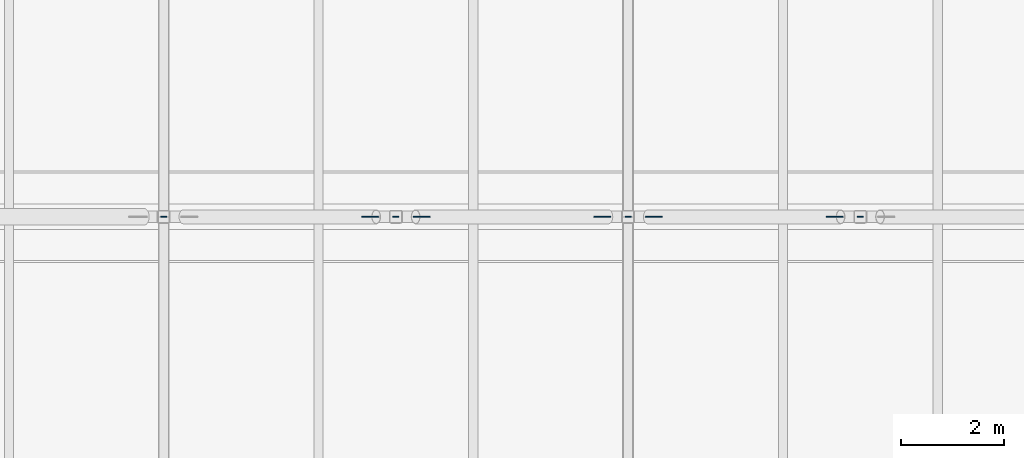
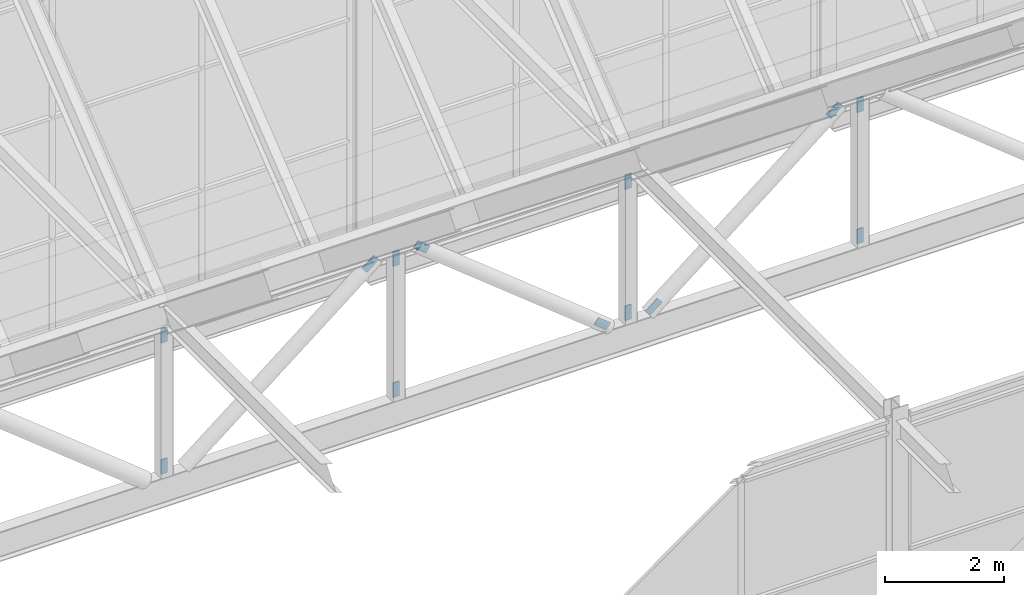
# One storey, part 135 of 144: 13 discrete accessories.
"""IFC4 building model written with IfcOpenShell, lengths in metres."""

from ifc_helpers import new_model, si_unit, direction, frame, origin, place, context, subcontext, project, spatial, polyline, outline, extrude, material, layer, layer_set, type_object, element, save


model = new_model("IFC4")

# Units and contexts
model_context = context("Model", 3, precision=1e-05, world=origin(), true_north=direction((0.0, 1.0)))
body_context = subcontext(model_context, "Body", "Model", "MODEL_VIEW")
ifc_project = project(units=[si_unit("LENGTHUNIT", "METRE"), si_unit("AREAUNIT", "SQUARE_METRE"), si_unit("VOLUMEUNIT", "CUBIC_METRE"), si_unit("PLANEANGLEUNIT", "RADIAN"), si_unit("MASSUNIT", "GRAM", prefix="KILO")], contexts=[model_context])

# Site, building, storey
site_placement = place(None, origin())
site = spatial("IfcSite", under=ifc_project, at=site_placement, CompositionType="ELEMENT")
building_placement = place(site_placement, origin())
building = spatial("IfcBuilding", under=site, at=building_placement, Name="Shorebreak Coast Museum", CompositionType="ELEMENT")
storey_placement = place(building_placement, frame((0.0, 0.0, 36.0)))
storey = spatial("IfcBuildingStorey", under=building, at=storey_placement, Name="L06", CompositionType="ELEMENT", Elevation=36.0)

# Discrete accessories
ifc_material_1 = material(Name="Steel Grade 300", Category="steel")
ifc_layer_1 = layer(ifc_material_1, 0.02001953125)
ifc_layer_set_1 = layer_set([ifc_layer_1], Name="Steel Grade 300")
discrete_accessory_type_1 = type_object("IfcDiscreteAccessoryType", Name="Gusset plate 120 x 300 x 20", PredefinedType="BRACKET", material=ifc_layer_set_1)
for number, where, z_axis, x_axis, name in (
    (1, (71.93994140625, 71.989990234375, 4.235595703125), (0.0, -1.0, 0.0), (1.0, 0.0, 0.0), "Gusset plate Atrium roof truss TA3 strut V02 end 1"),
    (2, (71.93994140625, 71.989990234375, 6.923583984375), (0.0, -1.0, 0.0), (1.0, 0.0, 0.0), "Gusset plate Atrium roof truss TA3 strut V02 end 2"),
    (3, (76.43994140625, 71.989990234375, 4.235595703125), (0.0, -1.0, 0.0), (1.0, 0.0, 0.0), "Gusset plate Atrium roof truss TA3 strut V03 end 1"),
    (4, (76.43994140625, 71.989990234375, 6.923583984375), (0.0, -1.0, 0.0), (1.0, 0.0, 0.0), "Gusset plate Atrium roof truss TA3 strut V03 end 2"),
    (5, (80.93994140625, 71.989990234375, 4.235595703125), (0.0, -1.0, 0.0), (1.0, 0.0, 0.0), "Gusset plate Atrium roof truss TA3 strut V04 end 1"),
    (6, (80.93994140625, 71.989990234375, 6.923583984375), (0.0, -1.0, 0.0), (1.0, 0.0, 0.0), "Gusset plate Atrium roof truss TA3 strut V04 end 2"),
    (7, (85.43994140625, 71.989990234375, 4.235595703125), (0.0, -1.0, 0.0), (1.0, 0.0, 0.0), "Gusset plate Atrium roof truss TA3 strut V05 end 1"),
    (8, (85.43994140625, 71.989990234375, 6.923583984375), (0.0, -1.0, 0.0), (1.0, 0.0, 0.0), "Gusset plate Atrium roof truss TA3 strut V05 end 2"),
):
    element("IfcDiscreteAccessory", number, at=place(storey_placement, frame(where, z_axis=z_axis, x_axis=x_axis)), inside=storey, type_object=discrete_accessory_type_1, Name=name, PredefinedType="BRACKET", context=body_context, shape_type="SweptSolid", body=[
        extrude(outline(polyline([(0.0, 0.0), (0.1201171875, 0.0), (0.1201171875, 0.2998046875), (0.0, 0.2998046875), (0.0, 0.0)])), origin(), (0.0, 0.0, -1.0), 0.02001953125),
    ])
ifc_material_2 = material(Name="Steel Grade 300", Category="steel")
ifc_layer_2 = layer(ifc_material_2, 0.02001953125)
ifc_layer_set_2 = layer_set([ifc_layer_2], Name="Steel Grade 300")
discrete_accessory_type_2 = type_object("IfcDiscreteAccessoryType", Name="Gusset plate 150 x 300 x 20", PredefinedType="BRACKET", material=ifc_layer_set_2)
discrete_accessory_placement = place(storey_placement, frame((75.83642578125, 71.989990234375, 7.0947265625), z_axis=(0.0, -1.0, 0.0), x_axis=(0.624695047554, 0.0, -0.780868809443)))
element("IfcDiscreteAccessory", 9, at=discrete_accessory_placement, inside=storey, type_object=discrete_accessory_type_2, Name="Gusset plate Atrium roof truss TA3 diagonal D03 end 2", PredefinedType="BRACKET", context=body_context, shape_type="SweptSolid", body=[
    extrude(outline(polyline([(0.0, 0.0), (0.1500732243148324, 0.0), (0.1501113526746685, 0.29980329339114004), (3.812835983607599e-05, 0.29980329339114004), (0.0, 0.0)])), origin(), (0.0, 0.0, -1.0), 0.02001953125),
])
for number, where, z_axis, x_axis, name in (
    (10, (80.570556640625, 71.989990234375, 4.177001953125), (0.0, -1.0, 0.0), (0.624695047554, 0.0, 0.780868809443), "Gusset plate Atrium roof truss TA3 diagonal D04 end 1"),
    (11, (77.06982421875, 71.989990234375, 6.9775390625), (0.0, -1.0, 0.0), (0.624695047554, 0.0, 0.780868809443), "Gusset plate Atrium roof truss TA3 diagonal D04 end 2"),
):
    element("IfcDiscreteAccessory", number, at=place(storey_placement, frame(where, z_axis=z_axis, x_axis=x_axis)), inside=storey, type_object=discrete_accessory_type_2, Name=name, PredefinedType="BRACKET", context=body_context, shape_type="SweptSolid", body=[
        extrude(outline(polyline([(0.0, 0.0), (0.1500732243148324, 0.0), (0.1500350959549963, 0.29980329339114004), (-3.812835983607599e-05, 0.29980329339114004), (0.0, 0.0)])), origin(), (0.0, 0.0, -1.0), 0.02001953125),
    ])
for number, where, z_axis, x_axis, name in (
    (12, (81.335693359375, 71.989990234375, 4.294189453125), (0.0, -1.0, 0.0), (0.624695047554, 0.0, -0.780868809443), "Gusset plate Atrium roof truss TA3 diagonal D05 end 1"),
    (13, (84.83642578125, 71.989990234375, 7.0947265625), (0.0, -1.0, 0.0), (0.624695047554, 0.0, -0.780868809443), "Gusset plate Atrium roof truss TA3 diagonal D05 end 2"),
):
    element("IfcDiscreteAccessory", number, at=place(storey_placement, frame(where, z_axis=z_axis, x_axis=x_axis)), inside=storey, type_object=discrete_accessory_type_2, Name=name, PredefinedType="BRACKET", context=body_context, shape_type="SweptSolid", body=[
        extrude(outline(polyline([(0.0, 0.0), (0.1500732243148324, 0.0), (0.1501113526746685, 0.29980329339114004), (3.812835983607599e-05, 0.29980329339114004), (0.0, 0.0)])), origin(), (0.0, 0.0, -1.0), 0.02001953125),
    ])

save(model, "model.ifc")
